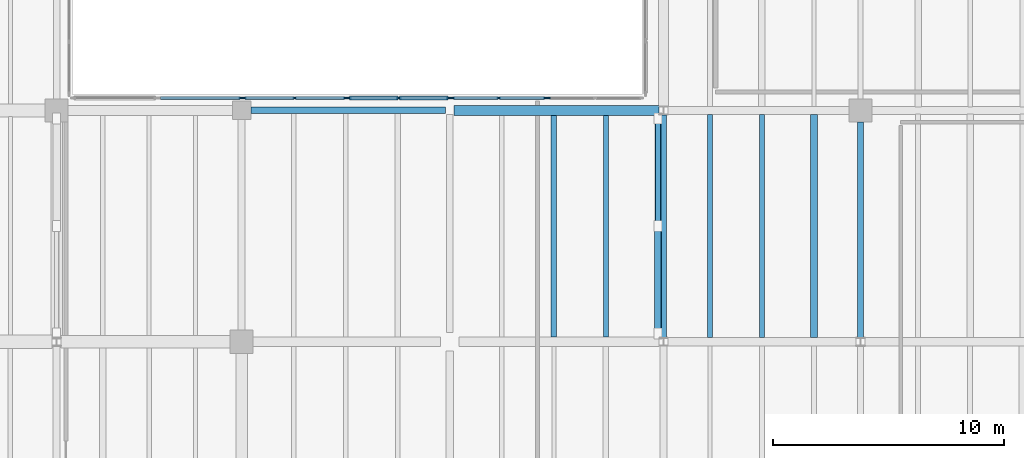
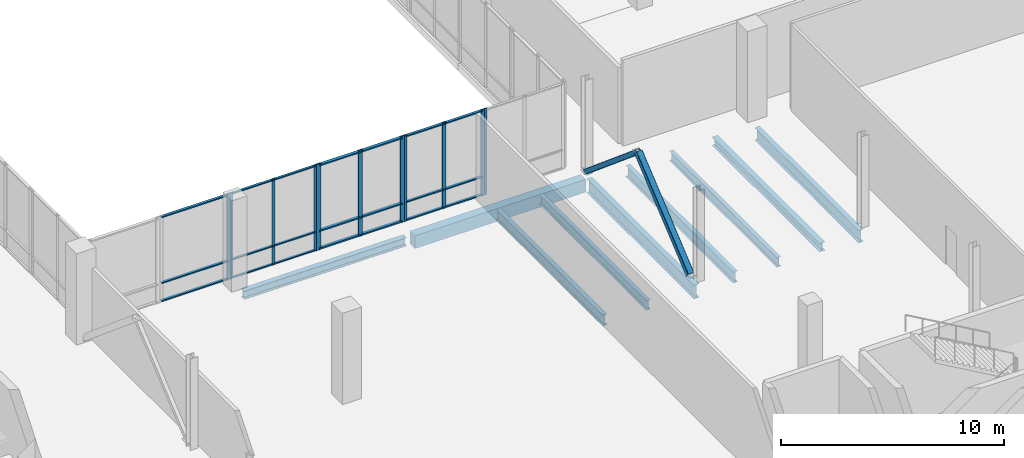
# One storey, part 53 of 88: 34 members, 9 beams, 5 elements without a shape of their own.
"""IFC4 building model written with IfcOpenShell, lengths in metres."""

from ifc_helpers import new_model, si_unit, direction, frame, origin, origin_2d, place, context, subcontext, project, spatial, rectangle, hollow_rectangle, i_section, extrude, material, material_profile, profile_set, type_object, element, aggregate, save


model = new_model("IFC4")

# Units and contexts
model_context = context("Model", 3, precision=1e-05, world=origin(), true_north=direction((0.0, 1.0)))
body_context = subcontext(model_context, "Body", "Model", "MODEL_VIEW")
ifc_project = project(units=[si_unit("LENGTHUNIT", "METRE"), si_unit("AREAUNIT", "SQUARE_METRE"), si_unit("VOLUMEUNIT", "CUBIC_METRE"), si_unit("PLANEANGLEUNIT", "RADIAN"), si_unit("MASSUNIT", "GRAM", prefix="KILO")], contexts=[model_context])

# Site, building, storey
site_placement = place(None, origin())
site = spatial("IfcSite", under=ifc_project, at=site_placement, CompositionType="ELEMENT")
building_placement = place(site_placement, origin())
building = spatial("IfcBuilding", under=site, at=building_placement, Name="Trimount Lyric Opera House", CompositionType="ELEMENT")
storey_placement = place(building_placement, origin())
storey = spatial("IfcBuildingStorey", under=building, at=storey_placement, Name="L00", CompositionType="ELEMENT", Elevation=0.0)

# Beams
ifc_material_1 = material(Name="Steel ASTM A992 Grade 50", Category="steel")
ifc_material_profile_1 = material_profile(ifc_material_1, i_section(OverallWidth=0.26708984375, OverallDepth=0.761962890625, WebThickness=0.014404296875, FlangeThickness=0.021484375, FilletRadius=0.01708984375, at=origin_2d()), Name="W30X116")
ifc_profile_set_1 = profile_set([ifc_material_profile_1], Name="Steel ASTM A992 Grade 50")
beam_type_1 = type_object("IfcBeamType", Name="B-07", PredefinedType="BEAM", material=ifc_profile_set_1)
beam_1_placement = place(storey_placement, frame((148.239990234375, 64.18408203125, -0.760986328125), z_axis=(0.0, 1.0, 0.0), x_axis=(-1.0, 0.0, 0.0)))
element("IfcBeam", 1, at=beam_1_placement, inside=storey, type_object=beam_type_1, Name="L00 girder Y-0421", PredefinedType="BEAM", context=body_context, shape_type="SweptSolid", body=[
    extrude(i_section(OverallWidth=0.26708984375, OverallDepth=0.761962890625, WebThickness=0.014404296875, FlangeThickness=0.021484375, FilletRadius=0.01708984375, at=origin_2d()), origin(), (0.0, 0.0, 1.0), 9.622802734375),
])
ifc_material_2 = material(Name="Steel ASTM A992 Grade 50", Category="steel")
ifc_material_profile_2 = material_profile(ifc_material_2, i_section(OverallWidth=0.25390625, OverallDepth=0.68798828125, WebThickness=0.01318359375, FlangeThickness=0.02099609375, FilletRadius=0.01611328125, at=origin_2d()), Name="W27X102")
ifc_profile_set_2 = profile_set([ifc_material_profile_2], Name="Steel ASTM A992 Grade 50")
beam_type_2 = type_object("IfcBeamType", Name="B-09", PredefinedType="BEAM", material=ifc_profile_set_2)
beam_2_placement = place(storey_placement, frame((156.760009765625, 64.193115234375, -0.72412109375), z_axis=(0.0, 1.0, 0.0), x_axis=(-1.0, 0.0, 0.0)))
element("IfcBeam", 2, at=beam_2_placement, inside=storey, type_object=beam_type_2, Name="L00 girder Y-0433", PredefinedType="BEAM", context=body_context, shape_type="SweptSolid", body=[
    extrude(i_section(OverallWidth=0.25390625, OverallDepth=0.68798828125, WebThickness=0.01318359375, FlangeThickness=0.02099609375, FilletRadius=0.01611328125, at=origin_2d()), origin(), (0.0, 0.0, 1.0), 9.306884765625),
])

# Members
ifc_material_3 = material(Name="Steel ASTM A500 Grade C", Category="steel")
ifc_material_profile_3 = material_profile(ifc_material_3, hollow_rectangle(XDim=0.3046875, YDim=0.3046875, WallThickness=0.01171875, InnerFilletRadius=0.01220703125, OuterFilletRadius=0.02392578125, at=origin_2d()), Name="HSS304.8X304.8X12.7")
ifc_profile_set_3 = profile_set([ifc_material_profile_3], Name="Steel ASTM A500 Grade C")
member_type_1 = type_object("IfcMemberType", Name="BR-02", PredefinedType="BRACE", material=ifc_profile_set_3)
member_1_placement = place(storey_placement, frame((148.0, 64.35009765625, 0.14990234375), z_axis=(0.0, 0.766173014074, 0.642634353661), x_axis=(-1.0, 0.0, 0.0)))
element("IfcMember", 3, at=member_1_placement, inside=storey, type_object=member_type_1, Name="L00 lateral chevron brace BF-4.1", PredefinedType="BRACE", context=body_context, shape_type="SweptSolid", body=[
    extrude(hollow_rectangle(XDim=0.3046875, YDim=0.3046875, WallThickness=0.01171875, InnerFilletRadius=0.01220703125, OuterFilletRadius=0.02392578125, at=origin_2d()), origin(), (0.0, 0.0, 1.0), 6.069091796875),
])
ifc_material_4 = material(Name="Steel ASTM A500 Grade C", Category="steel")
ifc_material_profile_4 = material_profile(ifc_material_4, hollow_rectangle(XDim=0.25390625, YDim=0.25390625, WallThickness=0.01171875, InnerFilletRadius=0.01220703125, OuterFilletRadius=0.02392578125, at=origin_2d()), Name="HSS254.0X254.0X12.7")
ifc_profile_set_4 = profile_set([ifc_material_profile_4], Name="Steel ASTM A500 Grade C")
member_type_2 = type_object("IfcMemberType", Name="BR-03", PredefinedType="BRACE", material=ifc_profile_set_4)
member_2_placement = place(storey_placement, frame((148.0, 73.64990234375, 0.14990234375), z_axis=(0.0, -0.766173014074, 0.642634353661), x_axis=(1.0, 0.0, 0.0)))
element("IfcMember", 4, at=member_2_placement, inside=storey, type_object=member_type_2, Name="L00 lateral chevron brace BF-4.2", PredefinedType="BRACE", context=body_context, shape_type="SweptSolid", body=[
    extrude(hollow_rectangle(XDim=0.25390625, YDim=0.25390625, WallThickness=0.01171875, InnerFilletRadius=0.01220703125, OuterFilletRadius=0.02392578125, at=origin_2d()), origin(), (0.0, 0.0, 1.0), 6.069091796875),
])

# Beams
ifc_material_5 = material(Name="Steel ASTM A992 Grade 50", Category="steel")
ifc_material_profile_5 = material_profile(ifc_material_5, i_section(OverallWidth=0.22802734375, OverallDepth=0.60205078125, WebThickness=0.010498046875, FlangeThickness=0.014892578125, FilletRadius=0.012939453125, at=origin_2d()), Name="W24X68")
ifc_profile_set_5 = profile_set([ifc_material_profile_5], Name="Steel ASTM A992 Grade 50")
beam_type_3 = type_object("IfcBeamType", Name="J-01", PredefinedType="BEAM", material=ifc_profile_set_5)
beam_3_placement = place(storey_placement, frame((143.5, 64.196533203125, -0.680908203125), z_axis=(0.0, 1.0, 0.0), x_axis=(-1.0, 0.0, 0.0)))
element("IfcBeam", 5, at=beam_3_placement, inside=storey, type_object=beam_type_3, Name="L00 composite floor joist 0450", PredefinedType="BEAM", context=body_context, shape_type="SweptSolid", body=[
    extrude(i_section(OverallWidth=0.22802734375, OverallDepth=0.60205078125, WebThickness=0.010498046875, FlangeThickness=0.014892578125, FilletRadius=0.012939453125, at=origin_2d()), origin(), (0.0, 0.0, 1.0), 9.58251953125),
])
beam_4_placement = place(storey_placement, frame((150.25, 64.18701171875, -0.680908203125), z_axis=(0.0, 1.0, 0.0), x_axis=(-1.0, 0.0, 0.0)))
element("IfcBeam", 6, at=beam_4_placement, inside=storey, type_object=beam_type_3, Name="L00 composite floor joist 0476", PredefinedType="BEAM", context=body_context, shape_type="SweptSolid", body=[
    extrude(i_section(OverallWidth=0.22802734375, OverallDepth=0.60205078125, WebThickness=0.010498046875, FlangeThickness=0.014892578125, FilletRadius=0.012939453125, at=origin_2d()), origin(), (0.0, 0.0, 1.0), 9.638916015625),
])
ifc_material_6 = material(Name="Steel ASTM A992 Grade 50", Category="steel")
ifc_material_profile_6 = material_profile(ifc_material_6, i_section(OverallWidth=0.2099609375, OverallDepth=0.532958984375, WebThickness=0.01025390625, FlangeThickness=0.015625, FilletRadius=0.012939453125, at=origin_2d()), Name="W21X62")
ifc_profile_set_6 = profile_set([ifc_material_profile_6], Name="Steel ASTM A992 Grade 50")
beam_type_4 = type_object("IfcBeamType", Name="J-02", PredefinedType="BEAM", material=ifc_profile_set_6)
beam_5_placement = place(storey_placement, frame((145.75, 64.196533203125, -0.646484375), z_axis=(0.0, 1.0, 0.0), x_axis=(-1.0, 0.0, 0.0)))
element("IfcBeam", 7, at=beam_5_placement, inside=storey, type_object=beam_type_4, Name="L00 composite floor joist 0451", PredefinedType="BEAM", context=body_context, shape_type="SweptSolid", body=[
    extrude(i_section(OverallWidth=0.2099609375, OverallDepth=0.532958984375, WebThickness=0.01025390625, FlangeThickness=0.015625, FilletRadius=0.012939453125, at=origin_2d()), origin(), (0.0, 0.0, 1.0), 9.58251953125),
])
beam_6_placement = place(storey_placement, frame((152.5, 64.18701171875, -0.646484375), z_axis=(0.0, 1.0, 0.0), x_axis=(-1.0, 0.0, 0.0)))
element("IfcBeam", 8, at=beam_6_placement, inside=storey, type_object=beam_type_4, Name="L00 composite floor joist 0477", PredefinedType="BEAM", context=body_context, shape_type="SweptSolid", body=[
    extrude(i_section(OverallWidth=0.2099609375, OverallDepth=0.532958984375, WebThickness=0.01025390625, FlangeThickness=0.015625, FilletRadius=0.012939453125, at=origin_2d()), origin(), (0.0, 0.0, 1.0), 9.638916015625),
])
ifc_material_7 = material(Name="Steel ASTM A992 Grade 50", Category="steel")
ifc_material_profile_7 = material_profile(ifc_material_7, i_section(OverallWidth=0.281982421875, OverallDepth=0.467041015625, WebThickness=0.01220703125, FlangeThickness=0.01953125, FilletRadius=0.012939453125, at=origin_2d()), Name="W18X86")
ifc_profile_set_7 = profile_set([ifc_material_profile_7], Name="Steel ASTM A992 Grade 50")
beam_type_5 = type_object("IfcBeamType", Name="J-03", PredefinedType="BEAM", material=ifc_profile_set_7)
beam_7_placement = place(storey_placement, frame((154.75, 64.18701171875, -0.613525390625), z_axis=(0.0, 1.0, 0.0), x_axis=(-1.0, 0.0, 0.0)))
element("IfcBeam", 9, at=beam_7_placement, inside=storey, type_object=beam_type_5, Name="L00 composite floor joist 0478", PredefinedType="BEAM", context=body_context, shape_type="SweptSolid", body=[
    extrude(i_section(OverallWidth=0.281982421875, OverallDepth=0.467041015625, WebThickness=0.01220703125, FlangeThickness=0.01953125, FilletRadius=0.012939453125, at=origin_2d()), origin(), (0.0, 0.0, 1.0), 9.638916015625),
])

# Curtain wall, members
ifc_material_8 = material(Name="Thermally Broken Aluminium and Low-E Glass", Category="aluminium")
curtain_wall_type = type_object("IfcCurtainWallType", Name="CW-03", PredefinedType="NOTDEFINED", material=ifc_material_8)
curtain_wall_1_placement = place(storey_placement, origin())
curtain_wall_1 = element("IfcCurtainWall", 10, at=curtain_wall_1_placement, inside=storey, type_object=curtain_wall_type, Name="L00 curtain wall 039", PredefinedType="NOTDEFINED")
ifc_material_9 = material(Name="Anodised Aluminium 6063-T6", Category="aluminium")
ifc_material_profile_8 = material_profile(ifc_material_9, rectangle(XDim=0.070068359375, YDim=0.219970703125, at=origin_2d()), Name="ALU-MULL-70X220")
ifc_profile_set_8 = profile_set([ifc_material_profile_8], Name="Anodised Aluminium 6063-T6")
member_type_3 = type_object("IfcMemberType", Name="ML-01", PredefinedType="MULLION", material=ifc_profile_set_8)
member_3_placement = place(storey_placement, frame((134.625, 74.5400390625, 0.0), z_axis=(0.0, 0.0, 1.0), x_axis=(0.0, 1.0, 0.0)))
member_3 = element("IfcMember", 11, at=member_3_placement, type_object=member_type_3, Name="CW-03 mullion 1", PredefinedType="MULLION", context=body_context, shape_type="SweptSolid", body=[
    extrude(rectangle(XDim=0.070068359375, YDim=0.219970703125, at=origin_2d()), origin(), (0.0, 0.0, 1.0), 4.719970703125),
])
member_4_placement = place(storey_placement, frame((136.794921875, 74.5400390625, 0.0), z_axis=(0.0, 0.0, 1.0), x_axis=(0.0, 1.0, 0.0)))
member_4 = element("IfcMember", 12, at=member_4_placement, type_object=member_type_3, Name="CW-03 mullion 2", PredefinedType="MULLION", context=body_context, shape_type="SweptSolid", body=[
    extrude(rectangle(XDim=0.070068359375, YDim=0.219970703125, at=origin_2d()), origin(), (0.0, 0.0, 1.0), 4.719970703125),
])
member_5_placement = place(storey_placement, frame((138.965087890625, 74.5400390625, 0.0), z_axis=(0.0, 0.0, 1.0), x_axis=(0.0, 1.0, 0.0)))
member_5 = element("IfcMember", 13, at=member_5_placement, type_object=member_type_3, Name="CW-03 mullion 3", PredefinedType="MULLION", context=body_context, shape_type="SweptSolid", body=[
    extrude(rectangle(XDim=0.070068359375, YDim=0.219970703125, at=origin_2d()), origin(), (0.0, 0.0, 1.0), 4.719970703125),
])

# Curtain wall, member
curtain_wall_2_placement = place(storey_placement, origin())
curtain_wall_2 = element("IfcCurtainWall", 14, at=curtain_wall_2_placement, inside=storey, type_object=curtain_wall_type, Name="L00 curtain wall 037", PredefinedType="NOTDEFINED")
ifc_material_10 = material(Name="Anodised Aluminium 6063-T6", Category="aluminium")
ifc_material_profile_9 = material_profile(ifc_material_10, rectangle(XDim=0.06494140625, YDim=0.179931640625, at=origin_2d()), Name="ALU-MULL-65X180")
ifc_profile_set_9 = profile_set([ifc_material_profile_9], Name="Anodised Aluminium 6063-T6")
member_type_4 = type_object("IfcMemberType", Name="ML-02", PredefinedType="MULLION", material=ifc_profile_set_9)
member_6_placement = place(storey_placement, frame((129.967529296875, 74.5400390625, 0.0), z_axis=(0.0, 0.0, 1.0), x_axis=(0.0, 1.0, 0.0)))
member_6 = element("IfcMember", 15, at=member_6_placement, type_object=member_type_4, Name="CW-03 mullion 2", PredefinedType="MULLION", context=body_context, shape_type="SweptSolid", body=[
    extrude(rectangle(XDim=0.06494140625, YDim=0.179931640625, at=origin_2d()), origin(), (0.0, 0.0, 1.0), 4.719970703125),
])

# Curtain wall, members
curtain_wall_3_placement = place(storey_placement, origin())
curtain_wall_3 = element("IfcCurtainWall", 16, at=curtain_wall_3_placement, inside=storey, type_object=curtain_wall_type, Name="L00 curtain wall 040", PredefinedType="NOTDEFINED")
member_7_placement = place(storey_placement, frame((139.12255859375, 74.5400390625, 0.0), z_axis=(0.0, 0.0, 1.0), x_axis=(0.0, 1.0, 0.0)))
member_7 = element("IfcMember", 17, at=member_7_placement, type_object=member_type_4, Name="CW-03 mullion 1", PredefinedType="MULLION", context=body_context, shape_type="SweptSolid", body=[
    extrude(rectangle(XDim=0.06494140625, YDim=0.179931640625, at=origin_2d()), origin(), (0.0, 0.0, 1.0), 4.719970703125),
])
member_8_placement = place(storey_placement, frame((141.125, 74.5400390625, 0.0), z_axis=(0.0, 0.0, 1.0), x_axis=(0.0, 1.0, 0.0)))
member_8 = element("IfcMember", 18, at=member_8_placement, type_object=member_type_4, Name="CW-03 mullion 2", PredefinedType="MULLION", context=body_context, shape_type="SweptSolid", body=[
    extrude(rectangle(XDim=0.06494140625, YDim=0.179931640625, at=origin_2d()), origin(), (0.0, 0.0, 1.0), 4.719970703125),
])
member_9_placement = place(storey_placement, frame((143.12744140625, 74.5400390625, 0.0), z_axis=(0.0, 0.0, 1.0), x_axis=(0.0, 1.0, 0.0)))
member_9 = element("IfcMember", 19, at=member_9_placement, type_object=member_type_4, Name="CW-03 mullion 3", PredefinedType="MULLION", context=body_context, shape_type="SweptSolid", body=[
    extrude(rectangle(XDim=0.06494140625, YDim=0.179931640625, at=origin_2d()), origin(), (0.0, 0.0, 1.0), 4.719970703125),
])

curtain_wall_4_placement = place(storey_placement, origin())
curtain_wall_4 = element("IfcCurtainWall", 20, at=curtain_wall_4_placement, inside=storey, type_object=curtain_wall_type, Name="L00 curtain wall 038", PredefinedType="NOTDEFINED")
ifc_material_11 = material(Name="Anodised Aluminium 6063-T6", Category="aluminium")
ifc_material_profile_10 = material_profile(ifc_material_11, rectangle(XDim=0.06005859375, YDim=0.14990234375, at=origin_2d()), Name="ALU-MULL-60X150")
ifc_profile_set_10 = profile_set([ifc_material_profile_10], Name="Anodised Aluminium 6063-T6")
member_type_5 = type_object("IfcMemberType", Name="ML-03", PredefinedType="MULLION", material=ifc_profile_set_10)
member_10_placement = place(storey_placement, frame((130.1201171875, 74.5400390625, 0.0), z_axis=(0.0, 0.0, 1.0), x_axis=(0.0, 1.0, 0.0)))
member_10 = element("IfcMember", 21, at=member_10_placement, type_object=member_type_5, Name="CW-03 mullion 1", PredefinedType="MULLION", context=body_context, shape_type="SweptSolid", body=[
    extrude(rectangle(XDim=0.06005859375, YDim=0.14990234375, at=origin_2d()), origin(), (0.0, 0.0, 1.0), 4.719970703125),
])
member_11_placement = place(storey_placement, frame((132.294921875, 74.5400390625, 0.0), z_axis=(0.0, 0.0, 1.0), x_axis=(0.0, 1.0, 0.0)))
member_11 = element("IfcMember", 22, at=member_11_placement, type_object=member_type_5, Name="CW-03 mullion 2", PredefinedType="MULLION", context=body_context, shape_type="SweptSolid", body=[
    extrude(rectangle(XDim=0.06005859375, YDim=0.14990234375, at=origin_2d()), origin(), (0.0, 0.0, 1.0), 4.719970703125),
])
member_12_placement = place(storey_placement, frame((134.469970703125, 74.5400390625, 0.0), z_axis=(0.0, 0.0, 1.0), x_axis=(0.0, 1.0, 0.0)))
member_12 = element("IfcMember", 23, at=member_12_placement, type_object=member_type_5, Name="CW-03 mullion 3", PredefinedType="MULLION", context=body_context, shape_type="SweptSolid", body=[
    extrude(rectangle(XDim=0.06005859375, YDim=0.14990234375, at=origin_2d()), origin(), (0.0, 0.0, 1.0), 4.719970703125),
])

# Curtain wall, member
curtain_wall_5_placement = place(storey_placement, origin())
curtain_wall_5 = element("IfcCurtainWall", 24, at=curtain_wall_5_placement, inside=storey, type_object=curtain_wall_type, Name="L00 curtain wall 041", PredefinedType="NOTDEFINED")
member_13_placement = place(storey_placement, frame((143.280029296875, 74.5400390625, 0.0), z_axis=(0.0, 0.0, 1.0), x_axis=(0.0, 1.0, 0.0)))
member_13 = element("IfcMember", 25, at=member_13_placement, type_object=member_type_5, Name="CW-03 mullion 1", PredefinedType="MULLION", context=body_context, shape_type="SweptSolid", body=[
    extrude(rectangle(XDim=0.06005859375, YDim=0.14990234375, at=origin_2d()), origin(), (0.0, 0.0, 1.0), 4.719970703125),
])
aggregate(curtain_wall_5, [member_13])

# Beams
ifc_material_12 = material(Name="Steel ASTM A992 Grade 50", Category="steel")
ifc_material_profile_11 = material_profile(ifc_material_12, i_section(OverallWidth=0.281982421875, OverallDepth=0.467041015625, WebThickness=0.01220703125, FlangeThickness=0.01953125, FilletRadius=0.012939453125, at=origin_2d()), Name="W18X86")
ifc_profile_set_11 = profile_set([ifc_material_profile_11], Name="Steel ASTM A992 Grade 50")
beam_type_6 = type_object("IfcBeamType", Name="SP-01", PredefinedType="SPANDREL", material=ifc_profile_set_11)
beam_8_placement = place(storey_placement, frame((130.39990234375, 74.0, -0.613525390625), z_axis=(1.0, 0.0, 0.0), x_axis=(0.0, 1.0, 0.0)))
element("IfcBeam", 26, at=beam_8_placement, inside=storey, type_object=beam_type_6, Name="L00 girder X-0155", PredefinedType="SPANDREL", context=body_context, shape_type="SweptSolid", body=[
    extrude(i_section(OverallWidth=0.281982421875, OverallDepth=0.467041015625, WebThickness=0.01220703125, FlangeThickness=0.01953125, FilletRadius=0.012939453125, at=origin_2d()), origin(), (0.0, 0.0, 1.0), 8.41357421875),
])
ifc_material_13 = material(Name="Concrete C40/50", Category="concrete")
ifc_material_profile_12 = material_profile(ifc_material_13, rectangle(XDim=0.449951171875, YDim=0.699951171875, at=origin_2d()), Name="RC450X700")
ifc_profile_set_12 = profile_set([ifc_material_profile_12], Name="Concrete C40/50")
beam_type_7 = type_object("IfcBeamType", Name="SP-02", PredefinedType="SPANDREL", material=ifc_profile_set_12)
beam_9_placement = place(storey_placement, frame((139.1865234375, 74.0, -0.72998046875), z_axis=(1.0, 0.0, 0.0), x_axis=(0.0, 1.0, 0.0)))
element("IfcBeam", 27, at=beam_9_placement, inside=storey, type_object=beam_type_7, Name="L00 girder X-0156", PredefinedType="SPANDREL", context=body_context, shape_type="SweptSolid", body=[
    extrude(rectangle(XDim=0.449951171875, YDim=0.699951171875, at=origin_2d()), origin(), (0.0, 0.0, 1.0), 8.85400390625),
])

# Member
ifc_material_14 = material(Name="Anodised Aluminium 6063-T6", Category="aluminium")
ifc_material_profile_13 = material_profile(ifc_material_14, rectangle(XDim=0.159912109375, YDim=0.070068359375, at=origin_2d()), Name="ALU-TRAN-70X160")
ifc_profile_set_13 = profile_set([ifc_material_profile_13], Name="Anodised Aluminium 6063-T6")
member_type_6 = type_object("IfcMemberType", Name="TR-01", PredefinedType="USERDEFINED", material=ifc_profile_set_13)
member_14_placement = place(storey_placement, frame((134.659912109375, 74.5400390625, 0.080078125), z_axis=(1.0, 0.0, 0.0), x_axis=(0.0, 1.0, 0.0)))
member_14 = element("IfcMember", 28, at=member_14_placement, type_object=member_type_6, Name="CW-03 transom 1.1", ObjectType="TRANSOM", PredefinedType="USERDEFINED", context=body_context, shape_type="SweptSolid", body=[
    extrude(rectangle(XDim=0.159912109375, YDim=0.070068359375, at=origin_2d()), origin(), (0.0, 0.0, 1.0), 2.10009765625),
])

member_15_placement = place(storey_placement, frame((134.659912109375, 74.5400390625, 1.050048828125), z_axis=(1.0, 0.0, 0.0), x_axis=(0.0, 1.0, 0.0)))
member_15 = element("IfcMember", 29, at=member_15_placement, type_object=member_type_6, Name="CW-03 transom 1.2", ObjectType="TRANSOM", PredefinedType="USERDEFINED", context=body_context, shape_type="SweptSolid", body=[
    extrude(rectangle(XDim=0.159912109375, YDim=0.070068359375, at=origin_2d()), origin(), (0.0, 0.0, 1.0), 2.10009765625),
])

member_16_placement = place(storey_placement, frame((134.659912109375, 74.5400390625, 4.639892578125), z_axis=(1.0, 0.0, 0.0), x_axis=(0.0, 1.0, 0.0)))
member_16 = element("IfcMember", 30, at=member_16_placement, type_object=member_type_6, Name="CW-03 transom 1.3", ObjectType="TRANSOM", PredefinedType="USERDEFINED", context=body_context, shape_type="SweptSolid", body=[
    extrude(rectangle(XDim=0.159912109375, YDim=0.070068359375, at=origin_2d()), origin(), (0.0, 0.0, 1.0), 2.10009765625),
])

member_17_placement = place(storey_placement, frame((136.830078125, 74.5400390625, 0.080078125), z_axis=(1.0, 0.0, 0.0), x_axis=(0.0, 1.0, 0.0)))
member_17 = element("IfcMember", 31, at=member_17_placement, type_object=member_type_6, Name="CW-03 transom 2.1", ObjectType="TRANSOM", PredefinedType="USERDEFINED", context=body_context, shape_type="SweptSolid", body=[
    extrude(rectangle(XDim=0.159912109375, YDim=0.070068359375, at=origin_2d()), origin(), (0.0, 0.0, 1.0), 2.099853515625),
])

member_18_placement = place(storey_placement, frame((136.830078125, 74.5400390625, 1.050048828125), z_axis=(1.0, 0.0, 0.0), x_axis=(0.0, 1.0, 0.0)))
member_18 = element("IfcMember", 32, at=member_18_placement, type_object=member_type_6, Name="CW-03 transom 2.2", ObjectType="TRANSOM", PredefinedType="USERDEFINED", context=body_context, shape_type="SweptSolid", body=[
    extrude(rectangle(XDim=0.159912109375, YDim=0.070068359375, at=origin_2d()), origin(), (0.0, 0.0, 1.0), 2.099853515625),
])

member_19_placement = place(storey_placement, frame((136.830078125, 74.5400390625, 4.639892578125), z_axis=(1.0, 0.0, 0.0), x_axis=(0.0, 1.0, 0.0)))
member_19 = element("IfcMember", 33, at=member_19_placement, type_object=member_type_6, Name="CW-03 transom 2.3", ObjectType="TRANSOM", PredefinedType="USERDEFINED", context=body_context, shape_type="SweptSolid", body=[
    extrude(rectangle(XDim=0.159912109375, YDim=0.070068359375, at=origin_2d()), origin(), (0.0, 0.0, 1.0), 2.099853515625),
])

aggregate(curtain_wall_1, [member_3, member_4, member_5, member_14, member_15, member_16, member_17, member_18, member_19])

ifc_material_15 = material(Name="Anodised Aluminium 6063-T6", Category="aluminium")
ifc_material_profile_14 = material_profile(ifc_material_15, rectangle(XDim=0.135009765625, YDim=0.06494140625, at=origin_2d()), Name="ALU-TRAN-65X135")
ifc_profile_set_14 = profile_set([ifc_material_profile_14], Name="Anodised Aluminium 6063-T6")
member_type_7 = type_object("IfcMemberType", Name="TR-02", PredefinedType="USERDEFINED", material=ifc_profile_set_14)
member_20_placement = place(storey_placement, frame((126.4951171875, 74.5400390625, 0.0673828125), z_axis=(1.0, 0.0, 0.0), x_axis=(0.0, 1.0, 0.0)))
member_20 = element("IfcMember", 34, at=member_20_placement, type_object=member_type_7, Name="CW-03 transom 1.1", ObjectType="TRANSOM", PredefinedType="USERDEFINED", context=body_context, shape_type="SweptSolid", body=[
    extrude(rectangle(XDim=0.135009765625, YDim=0.06494140625, at=origin_2d()), origin(), (0.0, 0.0, 1.0), 3.43994140625),
])

member_21_placement = place(storey_placement, frame((126.4951171875, 74.5400390625, 1.050048828125), z_axis=(1.0, 0.0, 0.0), x_axis=(0.0, 1.0, 0.0)))
member_21 = element("IfcMember", 35, at=member_21_placement, type_object=member_type_7, Name="CW-03 transom 1.2", ObjectType="TRANSOM", PredefinedType="USERDEFINED", context=body_context, shape_type="SweptSolid", body=[
    extrude(rectangle(XDim=0.135009765625, YDim=0.06494140625, at=origin_2d()), origin(), (0.0, 0.0, 1.0), 3.43994140625),
])

member_22_placement = place(storey_placement, frame((126.4951171875, 74.5400390625, 4.652587890625), z_axis=(1.0, 0.0, 0.0), x_axis=(0.0, 1.0, 0.0)))
member_22 = element("IfcMember", 36, at=member_22_placement, type_object=member_type_7, Name="CW-03 transom 1.3", ObjectType="TRANSOM", PredefinedType="USERDEFINED", context=body_context, shape_type="SweptSolid", body=[
    extrude(rectangle(XDim=0.135009765625, YDim=0.06494140625, at=origin_2d()), origin(), (0.0, 0.0, 1.0), 3.43994140625),
])

aggregate(curtain_wall_2, [member_6, member_20, member_21, member_22])

member_23_placement = place(storey_placement, frame((139.155029296875, 74.5400390625, 0.0673828125), z_axis=(1.0, 0.0, 0.0), x_axis=(0.0, 1.0, 0.0)))
member_23 = element("IfcMember", 37, at=member_23_placement, type_object=member_type_7, Name="CW-03 transom 1.1", ObjectType="TRANSOM", PredefinedType="USERDEFINED", context=body_context, shape_type="SweptSolid", body=[
    extrude(rectangle(XDim=0.135009765625, YDim=0.06494140625, at=origin_2d()), origin(), (0.0, 0.0, 1.0), 1.9375),
])

member_24_placement = place(storey_placement, frame((139.155029296875, 74.5400390625, 1.050048828125), z_axis=(1.0, 0.0, 0.0), x_axis=(0.0, 1.0, 0.0)))
member_24 = element("IfcMember", 38, at=member_24_placement, type_object=member_type_7, Name="CW-03 transom 1.2", ObjectType="TRANSOM", PredefinedType="USERDEFINED", context=body_context, shape_type="SweptSolid", body=[
    extrude(rectangle(XDim=0.135009765625, YDim=0.06494140625, at=origin_2d()), origin(), (0.0, 0.0, 1.0), 1.9375),
])

member_25_placement = place(storey_placement, frame((139.155029296875, 74.5400390625, 4.652587890625), z_axis=(1.0, 0.0, 0.0), x_axis=(0.0, 1.0, 0.0)))
member_25 = element("IfcMember", 39, at=member_25_placement, type_object=member_type_7, Name="CW-03 transom 1.3", ObjectType="TRANSOM", PredefinedType="USERDEFINED", context=body_context, shape_type="SweptSolid", body=[
    extrude(rectangle(XDim=0.135009765625, YDim=0.06494140625, at=origin_2d()), origin(), (0.0, 0.0, 1.0), 1.9375),
])

member_26_placement = place(storey_placement, frame((141.157470703125, 74.5400390625, 0.0673828125), z_axis=(1.0, 0.0, 0.0), x_axis=(0.0, 1.0, 0.0)))
member_26 = element("IfcMember", 40, at=member_26_placement, type_object=member_type_7, Name="CW-03 transom 2.1", ObjectType="TRANSOM", PredefinedType="USERDEFINED", context=body_context, shape_type="SweptSolid", body=[
    extrude(rectangle(XDim=0.135009765625, YDim=0.06494140625, at=origin_2d()), origin(), (0.0, 0.0, 1.0), 1.9375),
])

member_27_placement = place(storey_placement, frame((141.157470703125, 74.5400390625, 1.050048828125), z_axis=(1.0, 0.0, 0.0), x_axis=(0.0, 1.0, 0.0)))
member_27 = element("IfcMember", 41, at=member_27_placement, type_object=member_type_7, Name="CW-03 transom 2.2", ObjectType="TRANSOM", PredefinedType="USERDEFINED", context=body_context, shape_type="SweptSolid", body=[
    extrude(rectangle(XDim=0.135009765625, YDim=0.06494140625, at=origin_2d()), origin(), (0.0, 0.0, 1.0), 1.9375),
])

member_28_placement = place(storey_placement, frame((141.157470703125, 74.5400390625, 4.652587890625), z_axis=(1.0, 0.0, 0.0), x_axis=(0.0, 1.0, 0.0)))
member_28 = element("IfcMember", 42, at=member_28_placement, type_object=member_type_7, Name="CW-03 transom 2.3", ObjectType="TRANSOM", PredefinedType="USERDEFINED", context=body_context, shape_type="SweptSolid", body=[
    extrude(rectangle(XDim=0.135009765625, YDim=0.06494140625, at=origin_2d()), origin(), (0.0, 0.0, 1.0), 1.9375),
])

aggregate(curtain_wall_3, [member_7, member_8, member_9, member_23, member_24, member_25, member_26, member_27, member_28])

ifc_material_16 = material(Name="Anodised Aluminium 6063-T6", Category="aluminium")
ifc_material_profile_15 = material_profile(ifc_material_16, rectangle(XDim=0.114990234375, YDim=0.06005859375, at=origin_2d()), Name="ALU-TRAN-60X115")
ifc_profile_set_15 = profile_set([ifc_material_profile_15], Name="Anodised Aluminium 6063-T6")
member_type_8 = type_object("IfcMemberType", Name="TR-03", PredefinedType="USERDEFINED", material=ifc_profile_set_15)
member_29_placement = place(storey_placement, frame((130.14990234375, 74.5400390625, 0.0576171875), z_axis=(1.0, 0.0, 0.0), x_axis=(0.0, 1.0, 0.0)))
member_29 = element("IfcMember", 43, at=member_29_placement, type_object=member_type_8, Name="CW-03 transom 1.1", ObjectType="TRANSOM", PredefinedType="USERDEFINED", context=body_context, shape_type="SweptSolid", body=[
    extrude(rectangle(XDim=0.114990234375, YDim=0.06005859375, at=origin_2d()), origin(), (0.0, 0.0, 1.0), 2.114990234375),
])

member_30_placement = place(storey_placement, frame((130.14990234375, 74.5400390625, 1.050048828125), z_axis=(1.0, 0.0, 0.0), x_axis=(0.0, 1.0, 0.0)))
member_30 = element("IfcMember", 44, at=member_30_placement, type_object=member_type_8, Name="CW-03 transom 1.2", ObjectType="TRANSOM", PredefinedType="USERDEFINED", context=body_context, shape_type="SweptSolid", body=[
    extrude(rectangle(XDim=0.114990234375, YDim=0.06005859375, at=origin_2d()), origin(), (0.0, 0.0, 1.0), 2.114990234375),
])

member_31_placement = place(storey_placement, frame((130.14990234375, 74.5400390625, 4.66259765625), z_axis=(1.0, 0.0, 0.0), x_axis=(0.0, 1.0, 0.0)))
member_31 = element("IfcMember", 45, at=member_31_placement, type_object=member_type_8, Name="CW-03 transom 1.3", ObjectType="TRANSOM", PredefinedType="USERDEFINED", context=body_context, shape_type="SweptSolid", body=[
    extrude(rectangle(XDim=0.114990234375, YDim=0.06005859375, at=origin_2d()), origin(), (0.0, 0.0, 1.0), 2.114990234375),
])

member_32_placement = place(storey_placement, frame((132.324951171875, 74.5400390625, 0.0576171875), z_axis=(1.0, 0.0, 0.0), x_axis=(0.0, 1.0, 0.0)))
member_32 = element("IfcMember", 46, at=member_32_placement, type_object=member_type_8, Name="CW-03 transom 2.1", ObjectType="TRANSOM", PredefinedType="USERDEFINED", context=body_context, shape_type="SweptSolid", body=[
    extrude(rectangle(XDim=0.114990234375, YDim=0.06005859375, at=origin_2d()), origin(), (0.0, 0.0, 1.0), 2.114990234375),
])

member_33_placement = place(storey_placement, frame((132.324951171875, 74.5400390625, 1.050048828125), z_axis=(1.0, 0.0, 0.0), x_axis=(0.0, 1.0, 0.0)))
member_33 = element("IfcMember", 47, at=member_33_placement, type_object=member_type_8, Name="CW-03 transom 2.2", ObjectType="TRANSOM", PredefinedType="USERDEFINED", context=body_context, shape_type="SweptSolid", body=[
    extrude(rectangle(XDim=0.114990234375, YDim=0.06005859375, at=origin_2d()), origin(), (0.0, 0.0, 1.0), 2.114990234375),
])

member_34_placement = place(storey_placement, frame((132.324951171875, 74.5400390625, 4.66259765625), z_axis=(1.0, 0.0, 0.0), x_axis=(0.0, 1.0, 0.0)))
member_34 = element("IfcMember", 48, at=member_34_placement, type_object=member_type_8, Name="CW-03 transom 2.3", ObjectType="TRANSOM", PredefinedType="USERDEFINED", context=body_context, shape_type="SweptSolid", body=[
    extrude(rectangle(XDim=0.114990234375, YDim=0.06005859375, at=origin_2d()), origin(), (0.0, 0.0, 1.0), 2.114990234375),
])

aggregate(curtain_wall_4, [member_10, member_11, member_12, member_29, member_30, member_31, member_32, member_33, member_34])

save(model, "model.ifc")
